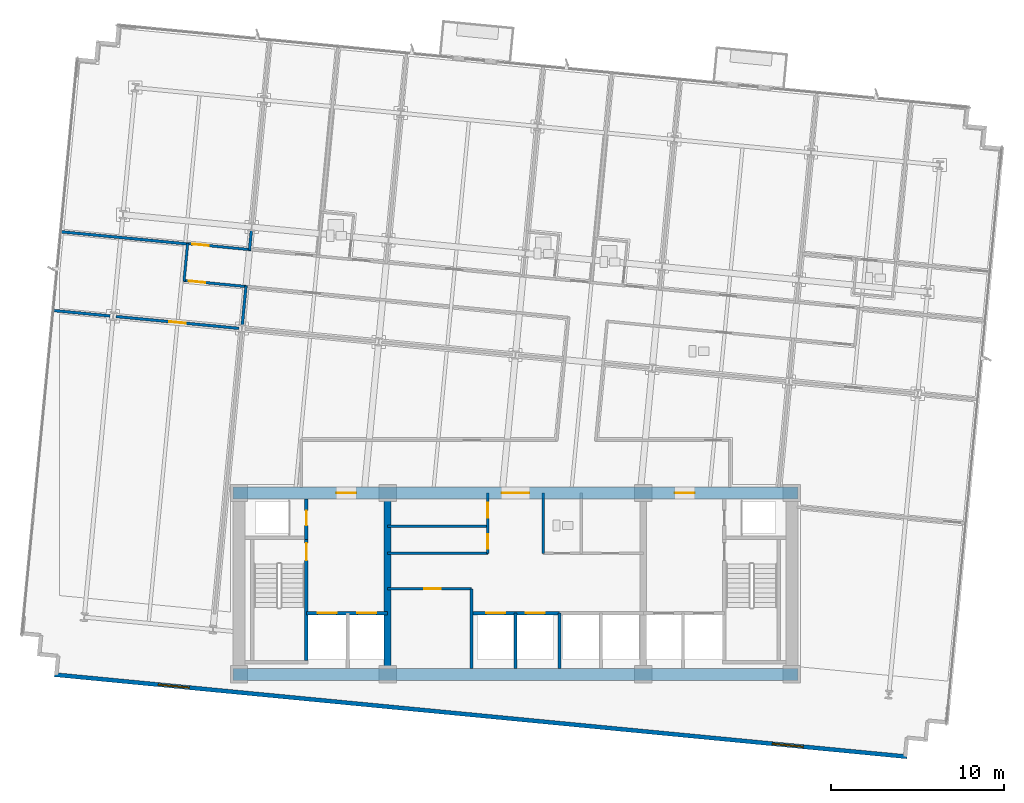
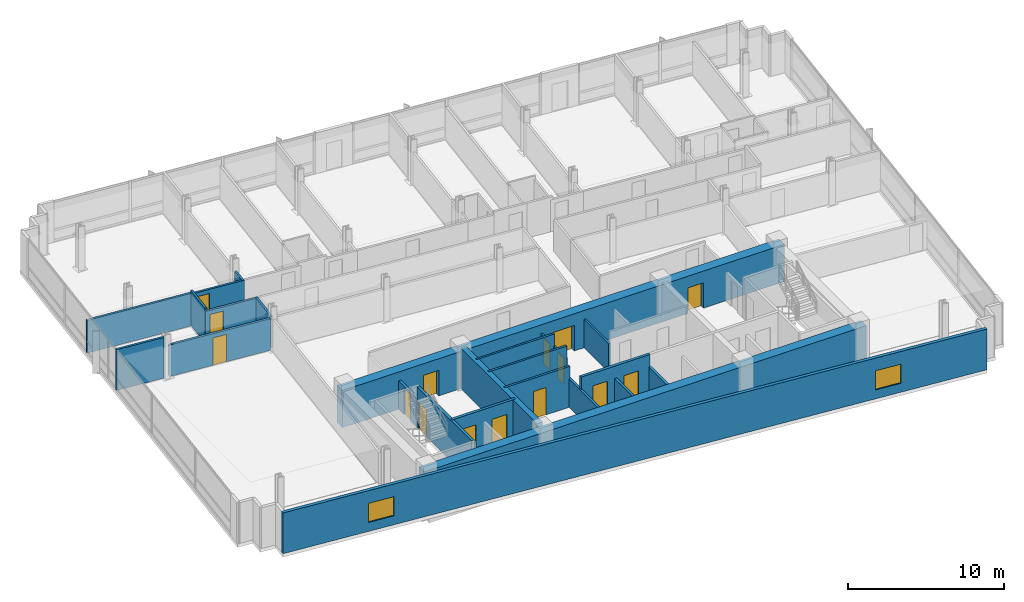
# One storey, part 10 of 17: 24 walls, 15 doors, 2 windows, 17 openings.
"""IFC4 building model written with IfcOpenShell, lengths in metres."""

from ifc_helpers import new_model, si_unit, direction, frame, frame_2d, origin, place, context, subcontext, project, spatial, rectangle, extrude, material, layer, layer_set, type_object, element, fill, save


model = new_model("IFC4")

# Units and contexts
model_context = context("Model", 3, precision=1e-05, world=origin(), true_north=direction((0.0, 1.0)))
body_context = subcontext(model_context, "Body", "Model", "MODEL_VIEW")
ifc_project = project(units=[si_unit("LENGTHUNIT", "METRE"), si_unit("AREAUNIT", "SQUARE_METRE"), si_unit("VOLUMEUNIT", "CUBIC_METRE"), si_unit("PLANEANGLEUNIT", "RADIAN"), si_unit("MASSUNIT", "GRAM", prefix="KILO")], contexts=[model_context])

# Site, building, storey
site_placement = place(None, origin())
site = spatial("IfcSite", under=ifc_project, at=site_placement, CompositionType="ELEMENT")
building_placement = place(site_placement, origin())
building = spatial("IfcBuilding", under=site, at=building_placement, Name="Solmavex Isthmus Hotel", CompositionType="ELEMENT")
storey_placement = place(building_placement, frame((0.0, 0.0, 173.85009765625)))
storey = spatial("IfcBuildingStorey", under=building, at=storey_placement, Name="L47", CompositionType="ELEMENT", Elevation=173.85009765625)

# Wall, openings, windows
ifc_material_1 = material(Name="Precast Concrete C40/50", Category="concrete")
ifc_layer_1 = layer(ifc_material_1, 0.25)
ifc_layer_set_1 = layer_set([ifc_layer_1], Name="Precast Concrete C40/50")
wall_type_1 = type_object("IfcWallType", Name="EW-TWR-250", PredefinedType="STANDARD", material=ifc_layer_set_1)
wall_1_placement = place(storey_placement, frame((-26.6953125, -13.01611328125, 0.0), z_axis=(0.0, 0.0, 1.0), x_axis=(0.995396268366, -0.095845025554, 0.0)))
wall_1 = element("IfcWall", 1, at=wall_1_placement, inside=storey, type_object=wall_type_1, Name="Tower Rear South Facade Wall L47", PredefinedType="STANDARD", context=body_context, shape_type="SweptSolid", body=[
    extrude(rectangle(XDim=49.599853515625, YDim=0.239990234375, at=frame_2d((24.7998046875, 0.0))), origin(), (0.0, 0.0, 1.0), 3.18994140625),
])
opening_1_placement = place(wall_1_placement, frame((6.0439453125, 0.0, 0.699951171875)))
opening_1 = element("IfcOpeningElement", 2, at=opening_1_placement, cuts=wall_1, Name="Opening WN-02", PredefinedType="OPENING", context=body_context, shape_type="SweptSolid", body=[
    extrude(rectangle(XDim=1.800048828125, YDim=1.5, at=frame_2d((0.89990234375, 0.75))), frame((0.0, 0.1298828125, 0.0), z_axis=(0.0, -1.0, 0.0), x_axis=(1.0, 0.0, 0.0)), (0.0, 0.0, 1.0), 0.260009765625),
])
opening_2_placement = place(wall_1_placement, frame((41.756103515625, 0.0, 0.699951171875)))
opening_2 = element("IfcOpeningElement", 3, at=opening_2_placement, cuts=wall_1, Name="Opening WN-02", PredefinedType="OPENING", context=body_context, shape_type="SweptSolid", body=[
    extrude(rectangle(XDim=1.800048828125, YDim=1.5, at=frame_2d((0.89990234375, 0.75))), frame((0.0, 0.1298828125, 0.0), z_axis=(0.0, -1.0, 0.0), x_axis=(1.0, 0.0, 0.0)), (0.0, 0.0, 1.0), 0.260009765625),
])
ifc_material_2 = material(Name="Clear low-E laminated glass", Category="glass")
window_type = type_object("IfcWindowType", Name="WIN-TWR-1800", PartitioningType="SINGLE_PANEL", PredefinedType="WINDOW", material=ifc_material_2)
window_1_placement = place(opening_1_placement, origin())
window_1 = element("IfcWindow", 4, at=window_1_placement, inside=storey, type_object=window_type, Name="South Facade Vision Window L47-S1", OverallHeight=1.5, OverallWidth=1.800048828125, PartitioningType="SINGLE_PANEL", PredefinedType="WINDOW", context=body_context, shape_type="SweptSolid", body=[
    extrude(rectangle(XDim=1.800048828125, YDim=1.5, at=frame_2d((0.89990234375, 0.75))), frame((0.0, 0.030029296875, 0.0), z_axis=(0.0, -1.0, 0.0), x_axis=(1.0, 0.0, 0.0)), (0.0, 0.0, 1.0), 0.06005859375),
])
fill(opening_1, window_1)
window_2_placement = place(opening_2_placement, origin())
window_2 = element("IfcWindow", 5, at=window_2_placement, inside=storey, type_object=window_type, Name="South Facade Vision Window L47-S2", OverallHeight=1.5, OverallWidth=1.800048828125, PartitioningType="SINGLE_PANEL", PredefinedType="WINDOW", context=body_context, shape_type="SweptSolid", body=[
    extrude(rectangle(XDim=1.800048828125, YDim=1.5, at=frame_2d((0.89990234375, 0.75))), frame((0.0, 0.030029296875, 0.0), z_axis=(0.0, -1.0, 0.0), x_axis=(1.0, 0.0, 0.0)), (0.0, 0.0, 1.0), 0.06005859375),
])
fill(opening_2, window_2)

# Wall, opening, door
ifc_material_3 = material(Name="Gypsum plasterboard lining", Category="gypsum")
ifc_layer_2 = layer(ifc_material_3, 0.159912109375)
ifc_layer_set_2 = layer_set([ifc_layer_2], Name="Gypsum plasterboard lining")
wall_type_2 = type_object("IfcWallType", Name="IW-COMP-160", PredefinedType="PARTITIONING", material=ifc_layer_set_2)
wall_2_placement = place(storey_placement, frame((-7.39990234375, -8.050048828125, 0.0), z_axis=(0.0, 0.0, 1.0), x_axis=(1.0, 0.0, 0.0)))
wall_2 = element("IfcWall", 6, at=wall_2_placement, inside=storey, type_object=wall_type_2, Name="Interior Partition Wall W-L47-REC-PLL-N", PredefinedType="PARTITIONING", context=body_context, shape_type="SweptSolid", body=[
    extrude(rectangle(XDim=4.849853515625, YDim=0.159912109375, at=frame_2d((2.4248046875, 0.0))), origin(), (0.0, 0.0, 1.0), 3.18994140625),
])
opening_3_placement = place(wall_2_placement, frame((2.125, 0.0, 0.0)))
opening_3 = element("IfcOpeningElement", 7, at=opening_3_placement, cuts=wall_2, Name="Opening ID-C095", PredefinedType="OPENING", context=body_context, shape_type="SweptSolid", body=[
    extrude(rectangle(XDim=0.949951171875, YDim=2.14990234375, at=frame_2d((0.47509765625, 1.074951171875))), frame((0.0, 0.08984375, 0.0), z_axis=(0.0, -1.0, 0.0), x_axis=(1.0, 0.0, 0.0)), (0.0, 0.0, 1.0), 0.179931640625),
])
ifc_material_4 = material(Name="Hardwood timber", Category="wood")
door_type_1 = type_object("IfcDoorType", Name="IDR-FD60-0950", OperationType="NOTDEFINED", PredefinedType="DOOR", material=ifc_material_4)
door_1_placement = place(opening_3_placement, origin())
door_1 = element("IfcDoor", 8, at=door_1_placement, inside=storey, type_object=door_type_1, Name="Linen Reserve Door L47", OperationType="SINGLE_SWING_LEFT", OverallHeight=2.14990234375, OverallWidth=0.949951171875, PredefinedType="DOOR", context=body_context, shape_type="SweptSolid", body=[
    extrude(rectangle(XDim=0.949951171875, YDim=2.14990234375, at=frame_2d((0.47509765625, 1.074951171875))), frame((0.0, 0.02490234375, 0.0), z_axis=(0.0, -1.0, 0.0), x_axis=(1.0, 0.0, 0.0)), (0.0, 0.0, 1.0), 0.050048828125),
])
fill(opening_3, door_1)

# Walls
wall_3_placement = place(storey_placement, frame((-2.550048828125, -12.64990234375, 0.0), z_axis=(0.0, 0.0, 1.0), x_axis=(0.0, 1.0, 0.0)))
element("IfcWall", 9, at=wall_3_placement, inside=storey, type_object=wall_type_2, Name="Interior Partition Wall W-L47-REC-PLL-E", PredefinedType="PARTITIONING", context=body_context, shape_type="SweptSolid", body=[
    extrude(rectangle(XDim=4.599853515625, YDim=0.159912109375, at=frame_2d((2.2998046875, 0.0))), origin(), (0.0, 0.0, 1.0), 2.224853515625),
])
wall_4_placement = place(storey_placement, frame((-15.2880859375, 12.720947265625, 0.0), z_axis=(0.0, 0.0, 1.0), x_axis=(-0.095831494917, -0.995397571115, 0.0)))
element("IfcWall", 10, at=wall_4_placement, inside=storey, type_object=wall_type_2, Name="Interior Partition Wall W-L47-P026", PredefinedType="PARTITIONING", context=body_context, shape_type="SweptSolid", body=[
    extrude(rectangle(XDim=1.171875, YDim=0.159912109375, at=frame_2d((0.5859375, 0.0))), origin(), (0.0, 0.0, 1.0), 2.4794921875),
])
wall_5_placement = place(storey_placement, frame((-18.942138671875, 11.91552734375, 0.0), z_axis=(0.0, 0.0, 1.0), x_axis=(-0.995395927026, 0.095848570461, 0.0)))
element("IfcWall", 11, at=wall_5_placement, inside=storey, type_object=wall_type_2, Name="Interior Partition Wall W-L47-P029", PredefinedType="PARTITIONING", context=body_context, shape_type="SweptSolid", body=[
    extrude(rectangle(XDim=7.44775390625, YDim=0.159912109375, at=frame_2d((3.723876953125, 0.0))), origin(), (0.0, 0.0, 1.0), 2.557373046875),
])
wall_6_placement = place(storey_placement, frame((-15.598876953125, 9.493896484375, 0.0), z_axis=(0.0, 0.0, 1.0), x_axis=(-0.09580488871, -0.995400132258, 0.0)))
element("IfcWall", 12, at=wall_6_placement, inside=storey, type_object=wall_type_2, Name="Interior Partition Wall W-L47-P065", PredefinedType="PARTITIONING", context=body_context, shape_type="SweptSolid", body=[
    extrude(rectangle(XDim=2.31396484375, YDim=0.159912109375, at=frame_2d((1.156982421875, 0.0))), origin(), (0.0, 0.0, 1.0), 2.4794921875),
])
wall_7_placement = place(storey_placement, frame((-23.466064453125, 7.75, 0.0), z_axis=(0.0, 0.0, 1.0), x_axis=(-0.995394839216, 0.095859866796, 0.0)))
element("IfcWall", 13, at=wall_7_placement, inside=storey, type_object=wall_type_2, Name="Interior Partition Wall W-L47-P066", PredefinedType="PARTITIONING", context=body_context, shape_type="SweptSolid", body=[
    extrude(rectangle(XDim=3.343994140625, YDim=0.159912109375, at=frame_2d((1.671875, 0.0))), origin(), (0.0, 0.0, 1.0), 3.18994140625),
])

# Wall, opening, door
wall_8_placement = place(storey_placement, frame((-16.0126953125, 7.0322265625, 0.0), z_axis=(0.0, 0.0, 1.0), x_axis=(-0.995394349304, 0.095864953831, 0.0)))
wall_8 = element("IfcWall", 14, at=wall_8_placement, inside=storey, type_object=wall_type_2, Name="Interior Partition Wall W-L47-P067", PredefinedType="PARTITIONING", context=body_context, shape_type="SweptSolid", body=[
    extrude(rectangle(XDim=7.135986328125, YDim=0.159912109375, at=frame_2d((3.56787109375, 0.0))), origin(), (0.0, 0.0, 1.0), 2.4794921875),
])
opening_4_placement = place(wall_8_placement, frame((3.093017578125, 0.0, 0.0)))
opening_4 = element("IfcOpeningElement", 15, at=opening_4_placement, cuts=wall_8, Name="Opening ID-C095", PredefinedType="OPENING", context=body_context, shape_type="SweptSolid", body=[
    extrude(rectangle(XDim=0.949951171875, YDim=2.14990234375, at=frame_2d((0.47509765625, 1.074951171875))), frame((0.0, 0.08984375, 0.0), z_axis=(0.0, -1.0, 0.0), x_axis=(1.0, 0.0, 0.0)), (0.0, 0.0, 1.0), 0.179931640625),
])
door_2_placement = place(opening_4_placement, origin())
door_2 = element("IfcDoor", 16, at=door_2_placement, inside=storey, type_object=door_type_1, Name="Corporate Briefing Office Door L47-23", OperationType="SINGLE_SWING_LEFT", OverallHeight=2.14990234375, OverallWidth=0.949951171875, PredefinedType="DOOR", context=body_context, shape_type="SweptSolid", body=[
    extrude(rectangle(XDim=0.949951171875, YDim=2.14990234375, at=frame_2d((0.47509765625, 1.074951171875))), frame((0.0, 0.02490234375, 0.0), z_axis=(0.0, -1.0, 0.0), x_axis=(1.0, 0.0, 0.0)), (0.0, 0.0, 1.0), 0.050048828125),
])
fill(opening_4, door_2)

# Wall
ifc_layer_3 = layer(ifc_material_3, 0.14990234375)
ifc_layer_set_3 = layer_set([ifc_layer_3], Name="Gypsum plasterboard lining")
wall_type_3 = type_object("IfcWallType", Name="IW-CORR-150", PredefinedType="PARTITIONING", material=ifc_layer_set_3)
wall_9_placement = place(storey_placement, frame((-7.39990234375, -6.0, 0.0), z_axis=(0.0, 0.0, 1.0), x_axis=(1.0, 0.0, 0.0)))
element("IfcWall", 17, at=wall_9_placement, inside=storey, type_object=wall_type_3, Name="Interior Partition Wall W-L47-BOH-WS", PredefinedType="PARTITIONING", context=body_context, shape_type="SweptSolid", body=[
    extrude(rectangle(XDim=5.7998046875, YDim=0.14990234375, at=frame_2d((2.89990234375, 0.0))), origin(), (0.0, 0.0, 1.0), 3.18994140625),
])

# Wall, openings, doors
wall_10_placement = place(storey_placement, frame((-1.60009765625, -6.0, 0.0), z_axis=(0.0, 0.0, 1.0), x_axis=(0.0, 1.0, 0.0)))
wall_10 = element("IfcWall", 18, at=wall_10_placement, inside=storey, type_object=wall_type_3, Name="Interior Partition Wall W-L47-BOH-WE", PredefinedType="PARTITIONING", context=body_context, shape_type="SweptSolid", body=[
    extrude(rectangle(XDim=3.5, YDim=0.14990234375, at=frame_2d((1.75, 0.0))), origin(), (0.0, 0.0, 1.0), 2.224853515625),
])
opening_5_placement = place(wall_10_placement, frame((0.27490234375, 0.0, 0.0)))
opening_5 = element("IfcOpeningElement", 19, at=opening_5_placement, cuts=wall_10, Name="Opening ID-R085", PredefinedType="OPENING", context=body_context, shape_type="SweptSolid", body=[
    extrude(rectangle(XDim=0.85009765625, YDim=2.050048828125, at=frame_2d((0.425048828125, 1.02490234375))), frame((0.0, 0.0849609375, 0.0), z_axis=(0.0, -1.0, 0.0), x_axis=(1.0, 0.0, 0.0)), (0.0, 0.0, 1.0), 0.169921875),
])
opening_6_placement = place(wall_10_placement, frame((2.074951171875, 0.0, 0.0)))
opening_6 = element("IfcOpeningElement", 20, at=opening_6_placement, cuts=wall_10, Name="Opening ID-R085", PredefinedType="OPENING", context=body_context, shape_type="SweptSolid", body=[
    extrude(rectangle(XDim=0.85009765625, YDim=2.050048828125, at=frame_2d((0.425048828125, 1.02490234375))), frame((0.0, 0.0849609375, 0.0), z_axis=(0.0, -1.0, 0.0), x_axis=(1.0, 0.0, 0.0)), (0.0, 0.0, 1.0), 0.169921875),
])
ifc_material_5 = material(Name="Steel ASTM A500 Grade C", Category="steel")
door_type_2 = type_object("IfcDoorType", Name="IDR-FD60-0850", OperationType="NOTDEFINED", PredefinedType="DOOR", material=ifc_material_5)
door_3_placement = place(opening_5_placement, origin())
door_3 = element("IfcDoor", 21, at=door_3_placement, inside=storey, type_object=door_type_2, Name="Housekeeping Door L47", OperationType="SINGLE_SWING_LEFT", OverallHeight=2.050048828125, OverallWidth=0.85009765625, PredefinedType="DOOR", context=body_context, shape_type="SweptSolid", body=[
    extrude(rectangle(XDim=0.85009765625, YDim=2.050048828125, at=frame_2d((0.425048828125, 1.02490234375))), frame((0.0, 0.02490234375, 0.0), z_axis=(0.0, -1.0, 0.0), x_axis=(1.0, 0.0, 0.0)), (0.0, 0.0, 1.0), 0.050048828125),
])
fill(opening_5, door_3)
door_4_placement = place(opening_6_placement, origin())
door_4 = element("IfcDoor", 22, at=door_4_placement, inside=storey, type_object=door_type_2, Name="Valet Store Door L47", OperationType="SINGLE_SWING_RIGHT", OverallHeight=2.050048828125, OverallWidth=0.85009765625, PredefinedType="DOOR", context=body_context, shape_type="SweptSolid", body=[
    extrude(rectangle(XDim=0.85009765625, YDim=2.050048828125, at=frame_2d((0.425048828125, 1.02490234375))), frame((0.0, 0.02490234375, 0.0), z_axis=(0.0, -1.0, 0.0), x_axis=(1.0, 0.0, 0.0)), (0.0, 0.0, 1.0), 0.050048828125),
])
fill(opening_6, door_4)

# Wall
wall_11_placement = place(storey_placement, frame((1.60009765625, -6.0, 0.0), z_axis=(0.0, 0.0, 1.0), x_axis=(0.0, 1.0, 0.0)))
element("IfcWall", 23, at=wall_11_placement, inside=storey, type_object=wall_type_3, Name="Interior Partition Wall W-L47-BOH-EW", PredefinedType="PARTITIONING", context=body_context, shape_type="SweptSolid", body=[
    extrude(rectangle(XDim=3.5, YDim=0.14990234375, at=frame_2d((1.75, 0.0))), origin(), (0.0, 0.0, 1.0), 2.224853515625),
])

# Wall, opening, door
wall_12_placement = place(storey_placement, frame((-19.019775390625, 11.943115234375, 0.0), z_axis=(0.0, 0.0, 1.0), x_axis=(0.995397364202, -0.095833644092, 0.0)))
wall_12 = element("IfcWall", 24, at=wall_12_placement, inside=storey, type_object=wall_type_3, Name="Interior Partition Wall W-L47-P001", PredefinedType="PARTITIONING", context=body_context, shape_type="SweptSolid", body=[
    extrude(rectangle(XDim=3.721923828125, YDim=0.14990234375, at=frame_2d((1.86083984375, 0.0))), origin(), (0.0, 0.0, 1.0), 2.4794921875),
])
opening_7_placement = place(wall_12_placement, frame((0.315185546875, 0.0, 0.0)))
opening_7 = element("IfcOpeningElement", 25, at=opening_7_placement, cuts=wall_12, Name="Opening ID-C095", PredefinedType="OPENING", context=body_context, shape_type="SweptSolid", body=[
    extrude(rectangle(XDim=0.949951171875, YDim=2.14990234375, at=frame_2d((0.47509765625, 1.074951171875))), frame((0.0, 0.0849609375, 0.0), z_axis=(0.0, -1.0, 0.0), x_axis=(1.0, 0.0, 0.0)), (0.0, 0.0, 1.0), 0.169921875),
])
door_5_placement = place(opening_7_placement, frame((0.949951171875, 0.0, 0.0), z_axis=(0.0, 0.0, 1.0), x_axis=(-1.0, 0.0, 0.0)))
door_5 = element("IfcDoor", 26, at=door_5_placement, inside=storey, type_object=door_type_1, Name="Executive Hospitality Lounge Door L47-01", OperationType="SINGLE_SWING_LEFT", OverallHeight=2.14990234375, OverallWidth=0.949951171875, PredefinedType="DOOR", context=body_context, shape_type="SweptSolid", body=[
    extrude(rectangle(XDim=0.949951171875, YDim=2.14990234375, at=frame_2d((0.47509765625, 1.074951171875))), frame((0.0, 0.02490234375, 0.0), z_axis=(0.0, -1.0, 0.0), x_axis=(1.0, 0.0, 0.0)), (0.0, 0.0, 1.0), 0.050048828125),
])
fill(opening_7, door_5)

wall_13_placement = place(storey_placement, frame((-15.52099609375, 9.4462890625, 0.0), z_axis=(0.0, 0.0, 1.0), x_axis=(-0.995397364202, 0.095833644092, 0.0)))
wall_13 = element("IfcWall", 27, at=wall_13_placement, inside=storey, type_object=wall_type_3, Name="Interior Partition Wall W-L47-P014", PredefinedType="PARTITIONING", context=body_context, shape_type="SweptSolid", body=[
    extrude(rectangle(XDim=3.721923828125, YDim=0.14990234375, at=frame_2d((1.86083984375, 0.0))), origin(), (0.0, 0.0, 1.0), 2.4794921875),
])
opening_8_placement = place(wall_13_placement, frame((2.456787109375, 0.0, 0.0)))
opening_8 = element("IfcOpeningElement", 28, at=opening_8_placement, cuts=wall_13, Name="Opening ID-C095", PredefinedType="OPENING", context=body_context, shape_type="SweptSolid", body=[
    extrude(rectangle(XDim=0.949951171875, YDim=2.14990234375, at=frame_2d((0.47509765625, 1.074951171875))), frame((0.0, 0.0849609375, 0.0), z_axis=(0.0, -1.0, 0.0), x_axis=(1.0, 0.0, 0.0)), (0.0, 0.0, 1.0), 0.169921875),
])
door_6_placement = place(opening_8_placement, frame((0.949951171875, 0.0, 0.0), z_axis=(0.0, 0.0, 1.0), x_axis=(-1.0, 0.0, 0.0)))
door_6 = element("IfcDoor", 29, at=door_6_placement, inside=storey, type_object=door_type_1, Name="Catering Servery Kitchen Door L47-16", OperationType="SINGLE_SWING_RIGHT", OverallHeight=2.14990234375, OverallWidth=0.949951171875, PredefinedType="DOOR", context=body_context, shape_type="SweptSolid", body=[
    extrude(rectangle(XDim=0.949951171875, YDim=2.14990234375, at=frame_2d((0.47509765625, 1.074951171875))), frame((0.0, 0.02490234375, 0.0), z_axis=(0.0, -1.0, 0.0), x_axis=(1.0, 0.0, 0.0)), (0.0, 0.0, 1.0), 0.050048828125),
])
fill(opening_8, door_6)

# Walls
wall_14_placement = place(storey_placement, frame((-19.18994140625, 9.75927734375, 0.0), z_axis=(0.0, 0.0, 1.0), x_axis=(0.095882898123, 0.995392620953, 0.0)))
element("IfcWall", 30, at=wall_14_placement, inside=storey, type_object=wall_type_3, Name="Interior Partition Wall W-L47-P015", PredefinedType="PARTITIONING", context=body_context, shape_type="SweptSolid", body=[
    extrude(rectangle(XDim=2.210205078125, YDim=0.14990234375, at=frame_2d((1.10498046875, 0.0))), origin(), (0.0, 0.0, 1.0), 2.718017578125),
])
ifc_layer_4 = layer(ifc_material_3, 0.1201171875)
ifc_layer_set_4 = layer_set([ifc_layer_4], Name="Gypsum plasterboard lining")
wall_type_4 = type_object("IfcWallType", Name="IW-PART-120", PredefinedType="PARTITIONING", material=ifc_layer_set_4)
wall_15_placement = place(storey_placement, frame((-7.39990234375, -4.425048828125, 0.0), z_axis=(0.0, 0.0, 1.0), x_axis=(1.0, 0.0, 0.0)))
element("IfcWall", 31, at=wall_15_placement, inside=storey, type_object=wall_type_4, Name="Interior Partition Wall W-L47-BOH-WH3", PredefinedType="PARTITIONING", context=body_context, shape_type="SweptSolid", body=[
    extrude(rectangle(XDim=5.7998046875, YDim=0.14990234375, at=frame_2d((2.89990234375, 0.0))), origin(), (0.0, 0.0, 1.0), 3.18994140625),
])
ifc_material_6 = material(Name="Concrete C40/50", Category="concrete")
ifc_layer_5 = layer(ifc_material_6, 0.179931640625)
ifc_layer_set_5 = layer_set([ifc_layer_5], Name="Concrete C40/50")
wall_type_5 = type_object("IfcWallType", Name="IW-SHAFT-180", PredefinedType="PARTITIONING", material=ifc_layer_set_5)
wall_16_placement = place(storey_placement, frame((0.0, -12.64990234375, 0.0), z_axis=(0.0, 0.0, 1.0), x_axis=(0.0, 1.0, 0.0)))
element("IfcWall", 32, at=wall_16_placement, inside=storey, type_object=wall_type_5, Name="Interior Partition Wall W-L47-SH-PLM-M", PredefinedType="PARTITIONING", context=body_context, shape_type="SweptSolid", body=[
    extrude(rectangle(XDim=3.199951171875, YDim=0.179931640625, at=frame_2d((1.60009765625, 0.0))), origin(), (0.0, 0.0, 1.0), 2.224853515625),
])

# Wall, opening, door
ifc_layer_6 = layer(ifc_material_6, 0.199951171875)
ifc_layer_set_6 = layer_set([ifc_layer_6], Name="Concrete C40/50")
wall_type_6 = type_object("IfcWallType", Name="IW-SHAFT-200", PredefinedType="PARTITIONING", material=ifc_layer_set_6)
wall_17_placement = place(storey_placement, frame((-12.10009765625, -5.199951171875, 0.0), z_axis=(0.0, 0.0, 1.0), x_axis=(0.0, 1.0, 0.0)))
wall_17 = element("IfcWall", 33, at=wall_17_placement, inside=storey, type_object=wall_type_6, Name="Interior Partition Wall W-L47-RSW-E", PredefinedType="PARTITIONING", context=body_context, shape_type="SweptSolid", body=[
    extrude(rectangle(XDim=2.349853515625, YDim=0.199951171875, at=frame_2d((1.1748046875, 0.0))), origin(), (0.0, 0.0, 1.0), 2.224853515625),
])
opening_9_placement = place(wall_17_placement, frame((0.824951171875, 0.0, 0.0)))
opening_9 = element("IfcOpeningElement", 34, at=opening_9_placement, cuts=wall_17, Name="Opening ID-R085", PredefinedType="OPENING", context=body_context, shape_type="SweptSolid", body=[
    extrude(rectangle(XDim=0.85009765625, YDim=2.050048828125, at=frame_2d((0.425048828125, 1.02490234375))), frame((0.0, 0.10986328125, 0.0), z_axis=(0.0, -1.0, 0.0), x_axis=(1.0, 0.0, 0.0)), (0.0, 0.0, 1.0), 0.219970703125),
])
door_7_placement = place(opening_9_placement, origin())
door_7 = element("IfcDoor", 35, at=door_7_placement, inside=storey, type_object=door_type_2, Name="Electrical Riser Door L47", OperationType="SINGLE_SWING_RIGHT", OverallHeight=2.050048828125, OverallWidth=0.85009765625, PredefinedType="DOOR", context=body_context, shape_type="SweptSolid", body=[
    extrude(rectangle(XDim=0.85009765625, YDim=2.050048828125, at=frame_2d((0.425048828125, 1.02490234375))), frame((0.0, 0.02490234375, 0.0), z_axis=(0.0, -1.0, 0.0), x_axis=(1.0, 0.0, 0.0)), (0.0, 0.0, 1.0), 0.050048828125),
])
fill(opening_9, door_7)

# Wall, openings, doors
wall_18_placement = place(storey_placement, frame((-12.10009765625, -9.449951171875, 0.0), z_axis=(0.0, 0.0, 1.0), x_axis=(1.0, 0.0, 0.0)))
wall_18 = element("IfcWall", 36, at=wall_18_placement, inside=storey, type_object=wall_type_6, Name="Interior Partition Wall W-L47-FFLW-S", PredefinedType="PARTITIONING", context=body_context, shape_type="SweptSolid", body=[
    extrude(rectangle(XDim=4.7001953125, YDim=0.199951171875, at=frame_2d((2.35009765625, 0.0))), origin(), (0.0, 0.0, 1.0), 3.18994140625),
])
opening_10_placement = place(wall_18_placement, frame((0.64990234375, 0.0, 0.0)))
opening_10 = element("IfcOpeningElement", 37, at=opening_10_placement, cuts=wall_18, Name="Opening LD-FF", PredefinedType="OPENING", context=body_context, shape_type="SweptSolid", body=[
    extrude(rectangle(XDim=1.10009765625, YDim=2.199951171875, at=frame_2d((0.550048828125, 1.10009765625))), frame((0.0, 0.10986328125, 0.0), z_axis=(0.0, -1.0, 0.0), x_axis=(1.0, 0.0, 0.0)), (0.0, 0.0, 1.0), 0.219970703125),
])
opening_11_placement = place(wall_18_placement, frame((2.949951171875, 0.0, 0.0)))
opening_11 = element("IfcOpeningElement", 38, at=opening_11_placement, cuts=wall_18, Name="Opening LD-SV", PredefinedType="OPENING", context=body_context, shape_type="SweptSolid", body=[
    extrude(rectangle(XDim=1.10009765625, YDim=2.199951171875, at=frame_2d((0.550048828125, 1.10009765625))), frame((0.0, 0.10986328125, 0.0), z_axis=(0.0, -1.0, 0.0), x_axis=(1.0, 0.0, 0.0)), (0.0, 0.0, 1.0), 0.219970703125),
])
ifc_material_7 = material(Name="Stainless steel 316", Category="steel")
door_type_3 = type_object("IfcDoorType", Name="LDR-FF-1100", OperationType="NOTDEFINED", PredefinedType="DOOR", material=ifc_material_7)
door_8_placement = place(opening_10_placement, origin())
door_8 = element("IfcDoor", 39, at=door_8_placement, inside=storey, type_object=door_type_3, Name="Lift Landing Door FFL-1 L47", OperationType="SLIDING_TO_LEFT", OverallHeight=2.199951171875, OverallWidth=1.10009765625, PredefinedType="DOOR", context=body_context, shape_type="SweptSolid", body=[
    extrude(rectangle(XDim=1.10009765625, YDim=2.199951171875, at=frame_2d((0.550048828125, 1.10009765625))), frame((0.0, 0.02490234375, 0.0), z_axis=(0.0, -1.0, 0.0), x_axis=(1.0, 0.0, 0.0)), (0.0, 0.0, 1.0), 0.050048828125),
])
fill(opening_10, door_8)
door_type_4 = type_object("IfcDoorType", Name="LDR-SV-1100", OperationType="NOTDEFINED", PredefinedType="DOOR", material=ifc_material_7)
door_9_placement = place(opening_11_placement, origin())
door_9 = element("IfcDoor", 40, at=door_9_placement, inside=storey, type_object=door_type_4, Name="Lift Landing Door SVL-1 L47", OperationType="SLIDING_TO_RIGHT", OverallHeight=2.199951171875, OverallWidth=1.10009765625, PredefinedType="DOOR", context=body_context, shape_type="SweptSolid", body=[
    extrude(rectangle(XDim=1.10009765625, YDim=2.199951171875, at=frame_2d((0.550048828125, 1.10009765625))), frame((0.0, 0.02490234375, 0.0), z_axis=(0.0, -1.0, 0.0), x_axis=(1.0, 0.0, 0.0)), (0.0, 0.0, 1.0), 0.050048828125),
])
fill(opening_11, door_9)

wall_19_placement = place(storey_placement, frame((-2.550048828125, -9.449951171875, 0.0), z_axis=(0.0, 0.0, 1.0), x_axis=(1.0, 0.0, 0.0)))
wall_19 = element("IfcWall", 41, at=wall_19_placement, inside=storey, type_object=wall_type_6, Name="Interior Partition Wall W-L47-SH-PLM", PredefinedType="PARTITIONING", context=body_context, shape_type="SweptSolid", body=[
    extrude(rectangle(XDim=5.10009765625, YDim=0.199951171875, at=frame_2d((2.550048828125, 0.0))), origin(), (0.0, 0.0, 1.0), 3.18994140625),
])
opening_12_placement = place(wall_19_placement, frame((0.85009765625, 0.0, 0.0)))
opening_12 = element("IfcOpeningElement", 42, at=opening_12_placement, cuts=wall_19, Name="Opening LD-PL", PredefinedType="OPENING", context=body_context, shape_type="SweptSolid", body=[
    extrude(rectangle(XDim=1.10009765625, YDim=2.199951171875, at=frame_2d((0.550048828125, 1.10009765625))), frame((0.0, 0.10986328125, 0.0), z_axis=(0.0, -1.0, 0.0), x_axis=(1.0, 0.0, 0.0)), (0.0, 0.0, 1.0), 0.219970703125),
])
opening_13_placement = place(wall_19_placement, frame((3.14990234375, 0.0, 0.0)))
opening_13 = element("IfcOpeningElement", 43, at=opening_13_placement, cuts=wall_19, Name="Opening LD-PL", PredefinedType="OPENING", context=body_context, shape_type="SweptSolid", body=[
    extrude(rectangle(XDim=1.10009765625, YDim=2.199951171875, at=frame_2d((0.550048828125, 1.10009765625))), frame((0.0, 0.10986328125, 0.0), z_axis=(0.0, -1.0, 0.0), x_axis=(1.0, 0.0, 0.0)), (0.0, 0.0, 1.0), 0.219970703125),
])
door_type_5 = type_object("IfcDoorType", Name="LDR-PL-1100", OperationType="NOTDEFINED", PredefinedType="DOOR", material=ifc_material_7)
door_10_placement = place(opening_12_placement, origin())
door_10 = element("IfcDoor", 44, at=door_10_placement, inside=storey, type_object=door_type_5, Name="Lift Landing Door PLM1 L47", OperationType="SLIDING_TO_RIGHT", OverallHeight=2.199951171875, OverallWidth=1.10009765625, PredefinedType="DOOR", context=body_context, shape_type="SweptSolid", body=[
    extrude(rectangle(XDim=1.10009765625, YDim=2.199951171875, at=frame_2d((0.550048828125, 1.10009765625))), frame((0.0, 0.02490234375, 0.0), z_axis=(0.0, -1.0, 0.0), x_axis=(1.0, 0.0, 0.0)), (0.0, 0.0, 1.0), 0.050048828125),
])
fill(opening_12, door_10)
door_11_placement = place(opening_13_placement, origin())
door_11 = element("IfcDoor", 45, at=door_11_placement, inside=storey, type_object=door_type_5, Name="Lift Landing Door PLM2 L47", OperationType="SLIDING_TO_RIGHT", OverallHeight=2.199951171875, OverallWidth=1.10009765625, PredefinedType="DOOR", context=body_context, shape_type="SweptSolid", body=[
    extrude(rectangle(XDim=1.10009765625, YDim=2.199951171875, at=frame_2d((0.550048828125, 1.10009765625))), frame((0.0, 0.02490234375, 0.0), z_axis=(0.0, -1.0, 0.0), x_axis=(1.0, 0.0, 0.0)), (0.0, 0.0, 1.0), 0.050048828125),
])
fill(opening_13, door_11)

# Walls
wall_20_placement = place(storey_placement, frame((2.550048828125, -12.64990234375, 0.0), z_axis=(0.0, 0.0, 1.0), x_axis=(0.0, 1.0, 0.0)))
element("IfcWall", 46, at=wall_20_placement, inside=storey, type_object=wall_type_6, Name="Interior Partition Wall W-L47-SH-PLM-E", PredefinedType="PARTITIONING", context=body_context, shape_type="SweptSolid", body=[
    extrude(rectangle(XDim=3.199951171875, YDim=0.199951171875, at=frame_2d((1.60009765625, 0.0))), origin(), (0.0, 0.0, 1.0), 2.224853515625),
])
ifc_material_8 = material(Name="Concrete C60/75", Category="concrete")
ifc_layer_7 = layer(ifc_material_8, 0.39990234375)
ifc_layer_set_7 = layer_set([ifc_layer_7], Name="Concrete C60/75")
wall_type_7 = type_object("IfcWallType", Name="WALL-CW-400M", PredefinedType="SHEAR", material=ifc_layer_set_7)
wall_21_placement = place(storey_placement, frame((-7.39990234375, -12.64990234375, 0.0), z_axis=(0.0, 0.0, 1.0), x_axis=(0.0, 1.0, 0.0)))
element("IfcWall", 47, at=wall_21_placement, inside=storey, type_object=wall_type_7, Name="Core Cross Shear Wall C1 L47", PredefinedType="SHEAR", context=body_context, shape_type="SweptSolid", body=[
    extrude(rectangle(XDim=9.7998046875, YDim=0.39990234375, at=frame_2d((4.89990234375, 0.0))), origin(), (0.0, 0.0, 1.0), 3.18994140625),
])
ifc_layer_8 = layer(ifc_material_8, 0.699951171875)
ifc_layer_set_8 = layer_set([ifc_layer_8], Name="Concrete C60/75")
wall_type_8 = type_object("IfcWallType", Name="WALL-CW-700", PredefinedType="SHEAR", material=ifc_layer_set_8)
wall_22_placement = place(storey_placement, frame((-16.35009765625, -13.0, 0.0), z_axis=(0.0, 0.0, 1.0), x_axis=(1.0, 0.0, 0.0)))
element("IfcWall", 48, at=wall_22_placement, inside=storey, type_object=wall_type_8, Name="Core Shear Wall South L47", PredefinedType="SHEAR", context=body_context, shape_type="SweptSolid", body=[
    extrude(rectangle(XDim=32.7001953125, YDim=0.699951171875, at=frame_2d((16.35009765625, 0.0))), origin(), (0.0, 0.0, 1.0), 2.909912109375),
])

# Wall, openings, doors
wall_23_placement = place(storey_placement, frame((-16.35009765625, -2.5, 0.0), z_axis=(0.0, 0.0, 1.0), x_axis=(1.0, 0.0, 0.0)))
wall_23 = element("IfcWall", 49, at=wall_23_placement, inside=storey, type_object=wall_type_8, Name="Core Shear Wall North L47", PredefinedType="SHEAR", context=body_context, shape_type="SweptSolid", body=[
    extrude(rectangle(XDim=32.7001953125, YDim=0.699951171875, at=frame_2d((16.35009765625, 0.0))), origin(), (0.0, 0.0, 1.0), 2.909912109375),
])
opening_14_placement = place(wall_23_placement, frame((5.97509765625, 0.0, 0.0)))
opening_14 = element("IfcOpeningElement", 50, at=opening_14_placement, cuts=wall_23, Name="Opening ID-F915", PredefinedType="OPENING", context=body_context, shape_type="SweptSolid", body=[
    extrude(rectangle(XDim=1.14990234375, YDim=2.0, at=frame_2d((0.574951171875, 1.0))), frame((0.0, 0.35986328125, 0.0), z_axis=(0.0, -1.0, 0.0), x_axis=(1.0, 0.0, 0.0)), (0.0, 0.0, 1.0), 0.719970703125),
])
opening_15_placement = place(wall_23_placement, frame((15.550048828125, 0.0, 0.0)))
opening_15 = element("IfcOpeningElement", 51, at=opening_15_placement, cuts=wall_23, Name="Opening ID-F960", PredefinedType="OPENING", context=body_context, shape_type="SweptSolid", body=[
    extrude(rectangle(XDim=1.60009765625, YDim=2.0, at=frame_2d((0.800048828125, 1.0))), frame((0.0, 0.35986328125, 0.0), z_axis=(0.0, -1.0, 0.0), x_axis=(1.0, 0.0, 0.0)), (0.0, 0.0, 1.0), 0.719970703125),
])
opening_16_placement = place(wall_23_placement, frame((25.574951171875, 0.0, 0.0)))
opening_16 = element("IfcOpeningElement", 52, at=opening_16_placement, cuts=wall_23, Name="Opening ID-F915", PredefinedType="OPENING", context=body_context, shape_type="SweptSolid", body=[
    extrude(rectangle(XDim=1.14990234375, YDim=2.0, at=frame_2d((0.574951171875, 1.0))), frame((0.0, 0.35986328125, 0.0), z_axis=(0.0, -1.0, 0.0), x_axis=(1.0, 0.0, 0.0)), (0.0, 0.0, 1.0), 0.719970703125),
])
door_type_6 = type_object("IfcDoorType", Name="IDR-FD90-1150C", OperationType="NOTDEFINED", PredefinedType="DOOR", material=ifc_material_5)
door_12_placement = place(opening_14_placement, origin())
door_12 = element("IfcDoor", 53, at=door_12_placement, inside=storey, type_object=door_type_6, Name="Firefighting Lobby West Exit Door L47", OperationType="SINGLE_SWING_LEFT", OverallHeight=2.0, OverallWidth=1.14990234375, PredefinedType="DOOR", context=body_context, shape_type="SweptSolid", body=[
    extrude(rectangle(XDim=1.14990234375, YDim=2.0, at=frame_2d((0.574951171875, 1.0))), frame((0.0, 0.02490234375, 0.0), z_axis=(0.0, -1.0, 0.0), x_axis=(1.0, 0.0, 0.0)), (0.0, 0.0, 1.0), 0.050048828125),
])
fill(opening_14, door_12)
door_13_placement = place(opening_16_placement, origin())
door_13 = element("IfcDoor", 54, at=door_13_placement, inside=storey, type_object=door_type_6, Name="Firefighting Lobby East Exit Door L47", OperationType="SINGLE_SWING_RIGHT", OverallHeight=2.0, OverallWidth=1.14990234375, PredefinedType="DOOR", context=body_context, shape_type="SweptSolid", body=[
    extrude(rectangle(XDim=1.14990234375, YDim=2.0, at=frame_2d((0.574951171875, 1.0))), frame((0.0, 0.02490234375, 0.0), z_axis=(0.0, -1.0, 0.0), x_axis=(1.0, 0.0, 0.0)), (0.0, 0.0, 1.0), 0.050048828125),
])
fill(opening_16, door_13)
door_type_7 = type_object("IfcDoorType", Name="IDR-FD90-1600C", OperationType="NOTDEFINED", PredefinedType="DOOR", material=ifc_material_5)
door_14_placement = place(opening_15_placement, origin())
door_14 = element("IfcDoor", 55, at=door_14_placement, inside=storey, type_object=door_type_7, Name="Central Lift Lobby Door L47", OperationType="DOUBLE_DOOR_SINGLE_SWING", OverallHeight=2.0, OverallWidth=1.60009765625, PredefinedType="DOOR", context=body_context, shape_type="SweptSolid", body=[
    extrude(rectangle(XDim=1.60009765625, YDim=2.0, at=frame_2d((0.800048828125, 1.0))), frame((0.0, 0.02490234375, 0.0), z_axis=(0.0, -1.0, 0.0), x_axis=(1.0, 0.0, 0.0)), (0.0, 0.0, 1.0), 0.050048828125),
])
fill(opening_15, door_14)

# Wall, opening, door
ifc_layer_9 = layer(ifc_material_6, 0.199951171875)
ifc_layer_set_9 = layer_set([ifc_layer_9], Name="Concrete C40/50")
wall_type_9 = type_object("IfcWallType", Name="WALL-SW-200", PredefinedType="SOLIDWALL", material=ifc_layer_set_9)
wall_24_placement = place(storey_placement, frame((-12.10009765625, -12.199951171875, 0.0), z_axis=(0.0, 0.0, 1.0), x_axis=(0.0, 1.0, 0.0)))
wall_24 = element("IfcWall", 56, at=wall_24_placement, inside=storey, type_object=wall_type_9, Name="Stairwell Structural Wall SW-L47-ST1-E", PredefinedType="SOLIDWALL", context=body_context, shape_type="SweptSolid", body=[
    extrude(rectangle(XDim=7.0, YDim=0.199951171875, at=frame_2d((3.5, 0.0))), origin(), (0.0, 0.0, 1.0), 3.18994140625),
])
opening_17_placement = place(wall_24_placement, frame((5.800048828125, 0.0, 0.0)))
opening_17 = element("IfcOpeningElement", 57, at=opening_17_placement, cuts=wall_24, Name="Opening ID-F100", PredefinedType="OPENING", context=body_context, shape_type="SweptSolid", body=[
    extrude(rectangle(XDim=1.0, YDim=2.10009765625, at=frame_2d((0.5, 1.050048828125))), frame((0.0, 0.10986328125, 0.0), z_axis=(0.0, -1.0, 0.0), x_axis=(1.0, 0.0, 0.0)), (0.0, 0.0, 1.0), 0.219970703125),
])
door_type_8 = type_object("IfcDoorType", Name="IDR-FD90-1000", OperationType="NOTDEFINED", PredefinedType="DOOR", material=ifc_material_5)
door_15_placement = place(opening_17_placement, frame((1.0, 0.0, 0.0), z_axis=(0.0, 0.0, 1.0), x_axis=(-1.0, 0.0, 0.0)))
door_15 = element("IfcDoor", 58, at=door_15_placement, inside=storey, type_object=door_type_8, Name="Stair ST-1 Fire Door L47", OperationType="SINGLE_SWING_LEFT", OverallHeight=2.10009765625, OverallWidth=1.0, PredefinedType="DOOR", context=body_context, shape_type="SweptSolid", body=[
    extrude(rectangle(XDim=1.0, YDim=2.10009765625, at=frame_2d((0.5, 1.050048828125))), frame((0.0, 0.02490234375, 0.0), z_axis=(0.0, -1.0, 0.0), x_axis=(1.0, 0.0, 0.0)), (0.0, 0.0, 1.0), 0.050048828125),
])
fill(opening_17, door_15)

save(model, "model.ifc")
